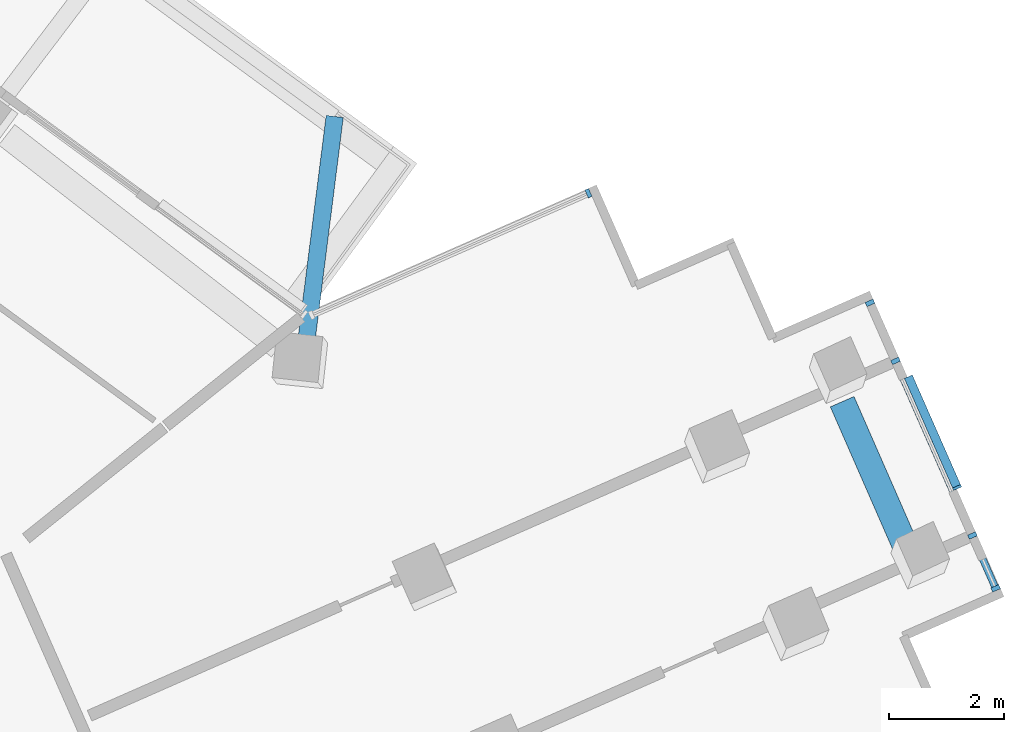
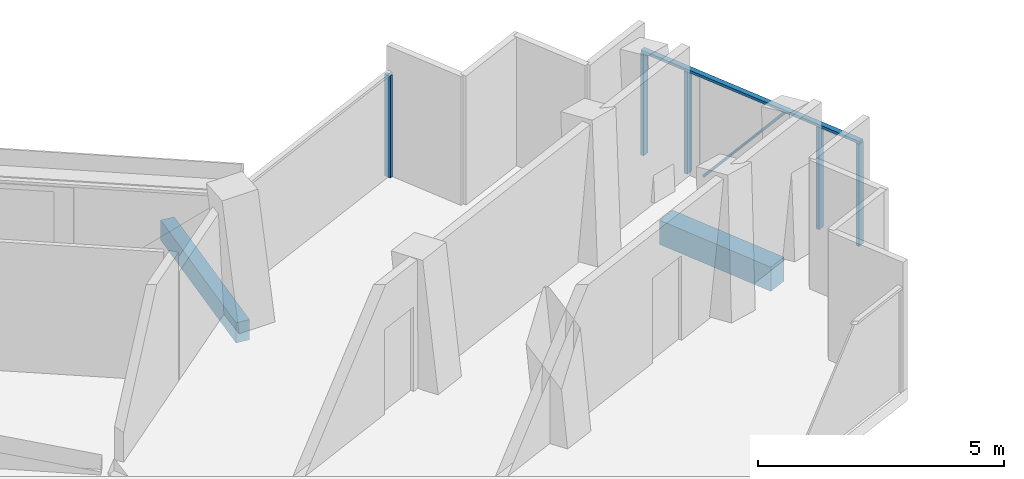
# One storey, part 10 of 22: 7 members, 2 beams, 2 elements without a shape of their own.
"""IFC4 building model written with IfcOpenShell, lengths in metres."""

from ifc_helpers import new_model, si_unit, direction, frame, origin, origin_2d, place, context, subcontext, project, spatial, rectangle, extrude, material, layer, layer_set, material_profile, profile_set, type_object, element, aggregate, save


model = new_model("IFC4")

# Units and contexts
model_context = context("Model", 3, precision=1e-05, world=origin(), true_north=direction((0.0, 1.0)))
body_context = subcontext(model_context, "Body", "Model", "MODEL_VIEW")
ifc_project = project(units=[si_unit("LENGTHUNIT", "METRE"), si_unit("AREAUNIT", "SQUARE_METRE"), si_unit("VOLUMEUNIT", "CUBIC_METRE"), si_unit("PLANEANGLEUNIT", "RADIAN"), si_unit("MASSUNIT", "GRAM", prefix="KILO")], contexts=[model_context])

# Site, building, storey
site_placement = place(None, origin())
site = spatial("IfcSite", under=ifc_project, at=site_placement, CompositionType="ELEMENT")
building_placement = place(site_placement, origin())
building = spatial("IfcBuilding", under=site, at=building_placement, Name="Verdalira Terraces Hotel", CompositionType="ELEMENT")
storey_placement = place(building_placement, frame((0.0, 0.0, 252.5)))
storey = spatial("IfcBuildingStorey", under=building, at=storey_placement, Name="L62", CompositionType="ELEMENT", Elevation=252.5)

# Beam
ifc_material_1 = material(Name="Concrete C40", Category="concrete")
ifc_material_profile_1 = material_profile(ifc_material_1, rectangle(XDim=0.300049, YDim=0.5, at=origin_2d()), Name="RC 300X500")
ifc_profile_set_1 = profile_set([ifc_material_profile_1], Name="Concrete C40")
beam_type_1 = type_object("IfcBeamType", Name="Balcony cantilever beam RC 300X500 C40", PredefinedType="BEAM", material=ifc_profile_set_1)
beam_1_placement = place(storey_placement, frame((19.55249, 15.201904, -0.560059), z_axis=(0.125350703, 0.992112494, 0.0), x_axis=(-0.992112494, 0.125350703, 0.0)))
element("IfcBeam", 1, at=beam_1_placement, inside=storey, type_object=beam_type_1, Name="Balcony cantilever beam R39-1", PredefinedType="BEAM", context=body_context, shape_type="SweptSolid", body=[
    extrude(rectangle(XDim=0.300049, YDim=0.5, at=origin_2d()), origin(), (0.0, 0.0, 1.0), 3.949951),
])

# Curtain wall, member
ifc_material_2 = material(Name="Clear glass", Category="glass")
ifc_layer_1 = layer(ifc_material_2, 0.14990234375)
ifc_layer_set_1 = layer_set([ifc_layer_1], Name="CW2 curtain wall")
curtain_wall_type_1 = type_object("IfcCurtainWallType", Name="CW2 curtain wall", PredefinedType="NOTDEFINED", material=ifc_layer_set_1)
curtain_wall_1_placement = place(storey_placement, origin())
curtain_wall_1 = element("IfcCurtainWall", 2, at=curtain_wall_1_placement, inside=storey, type_object=curtain_wall_type_1, Name="CW2 curtain wall L62 edge 38", PredefinedType="NOTDEFINED")
ifc_material_3 = material(Name="Terracotta frame", Category="masonry")
ifc_material_profile_2 = material_profile(ifc_material_3, rectangle(XDim=0.070068, YDim=0.149902, at=origin_2d()), Name="MU 70x150")
ifc_profile_set_2 = profile_set([ifc_material_profile_2], Name="Terracotta frame")
member_type_1 = type_object("IfcMemberType", Name="CW2 mullion 70x150", PredefinedType="MULLION", material=ifc_profile_set_2)
member_1_placement = place(storey_placement, frame((24.456787, 17.786377, 0.0), z_axis=(0.0, 0.0, 1.0), x_axis=(-0.915241173, -0.402906436, 0.0)))
member_1 = element("IfcMember", 3, at=member_1_placement, type_object=member_type_1, Name="CW2 mullion", PredefinedType="MULLION", context=body_context, shape_type="SweptSolid", body=[
    extrude(rectangle(XDim=0.070068, YDim=0.149902, at=origin_2d()), origin(), (0.0, 0.0, 1.0), 2.524902),
])
aggregate(curtain_wall_1, [member_1])

# Curtain wall, members
ifc_material_4 = material(Name="Clear glass", Category="glass")
ifc_layer_2 = layer(ifc_material_4, 0.14990234375)
ifc_layer_set_2 = layer_set([ifc_layer_2], Name="CW3 curtain wall")
curtain_wall_type_2 = type_object("IfcCurtainWallType", Name="CW3 curtain wall", PredefinedType="NOTDEFINED", material=ifc_layer_set_2)
curtain_wall_2_placement = place(storey_placement, origin())
curtain_wall_2 = element("IfcCurtainWall", 4, at=curtain_wall_2_placement, inside=storey, type_object=curtain_wall_type_2, Name="CW3 curtain wall L62 edge 33", PredefinedType="NOTDEFINED")
ifc_material_5 = material(Name="Terracotta frame", Category="masonry")
ifc_material_profile_3 = material_profile(ifc_material_5, rectangle(XDim=0.080078, YDim=0.149902, at=origin_2d()), Name="MU 80x150")
ifc_profile_set_3 = profile_set([ifc_material_profile_3], Name="Terracotta frame")
member_type_2 = type_object("IfcMemberType", Name="CW3 mullion 80x150", PredefinedType="MULLION", material=ifc_profile_set_3)
member_2_placement = place(storey_placement, frame((31.532959, 10.92041, 0.0), z_axis=(0.0, 0.0, 1.0), x_axis=(-0.402906436, 0.915241173, 0.0)))
member_2 = element("IfcMember", 5, at=member_2_placement, type_object=member_type_2, Name="CW3 mullion", PredefinedType="MULLION", context=body_context, shape_type="SweptSolid", body=[
    extrude(rectangle(XDim=0.080078, YDim=0.149902, at=origin_2d()), origin(), (0.0, 0.0, 1.0), 2.524902),
])
member_3_placement = place(storey_placement, frame((31.128662, 11.838623, 0.0), z_axis=(0.0, 0.0, 1.0), x_axis=(-0.402906436, 0.915241173, 0.0)))
member_3 = element("IfcMember", 6, at=member_3_placement, type_object=member_type_2, Name="CW3 mullion", PredefinedType="MULLION", context=body_context, shape_type="SweptSolid", body=[
    extrude(rectangle(XDim=0.080078, YDim=0.149902, at=origin_2d()), origin(), (0.0, 0.0, 1.0), 2.524902),
])
member_4_placement = place(storey_placement, frame((29.793213, 14.872559, 0.0), z_axis=(0.0, 0.0, 1.0), x_axis=(-0.402906436, 0.915241173, 0.0)))
member_4 = element("IfcMember", 7, at=member_4_placement, type_object=member_type_2, Name="CW3 mullion", PredefinedType="MULLION", context=body_context, shape_type="SweptSolid", body=[
    extrude(rectangle(XDim=0.080078, YDim=0.149902, at=origin_2d()), origin(), (0.0, 0.0, 1.0), 2.524902),
])
member_5_placement = place(storey_placement, frame((29.349121, 15.881104, 0.0), z_axis=(0.0, 0.0, 1.0), x_axis=(-0.402906436, 0.915241173, 0.0)))
member_5 = element("IfcMember", 8, at=member_5_placement, type_object=member_type_2, Name="CW3 mullion", PredefinedType="MULLION", context=body_context, shape_type="SweptSolid", body=[
    extrude(rectangle(XDim=0.080078, YDim=0.149902, at=origin_2d()), origin(), (0.0, 0.0, 1.0), 2.524902),
])
ifc_material_6 = material(Name="Terracotta frame", Category="masonry")
ifc_material_profile_4 = material_profile(ifc_material_6, rectangle(XDim=0.120117, YDim=0.064941, at=origin_2d()), Name="TR 65x120")
ifc_profile_set_4 = profile_set([ifc_material_profile_4], Name="Terracotta frame")
member_type_3 = type_object("IfcMemberType", Name="CW3 transom 65x120", PredefinedType="USERDEFINED", material=ifc_profile_set_4)
member_6_placement = place(storey_placement, frame((31.549072, 10.883789, 2.557617), z_axis=(-0.402911162, 0.915239092, 0.0), x_axis=(-0.915239092, -0.402911162, 0.0)))
member_6 = element("IfcMember", 9, at=member_6_placement, type_object=member_type_3, Name="CW3 transom", ObjectType="TRANSOM", PredefinedType="USERDEFINED", context=body_context, shape_type="SweptSolid", body=[
    extrude(rectangle(XDim=0.120117, YDim=0.064941, at=origin_2d()), origin(), (0.0, 0.0, 1.0), 5.500244),
])
ifc_material_7 = material(Name="Terracotta frame", Category="masonry")
ifc_material_profile_5 = material_profile(ifc_material_7, rectangle(XDim=0.149902, YDim=0.060059, at=origin_2d()), Name="GB 60x150")
ifc_profile_set_5 = profile_set([ifc_material_profile_5], Name="Terracotta frame")
member_type_4 = type_object("IfcMemberType", Name="Diagonal glazing bar 60x150", PredefinedType="USERDEFINED", material=ifc_profile_set_5)
member_7_placement = place(storey_placement, frame((30.863037, 12.673096, 2.496338), z_axis=(-0.259710724, 0.589852756, -0.764607132), x_axis=(-0.915214617, -0.402966754, 0.0)))
member_7 = element("IfcMember", 10, at=member_7_placement, type_object=member_type_4, Name="Diagonal glazing bar", ObjectType="GLAZING BAR", PredefinedType="USERDEFINED", context=body_context, shape_type="SweptSolid", body=[
    extrude(rectangle(XDim=0.149902, YDim=0.060059, at=origin_2d()), origin(), (0.0, 0.0, 1.0), 3.227295),
])
aggregate(curtain_wall_2, [member_2, member_3, member_4, member_5, member_6, member_7])

# Beam
ifc_material_8 = material(Name="Concrete C40", Category="concrete")
ifc_material_profile_6 = material_profile(ifc_material_8, rectangle(XDim=0.449951, YDim=0.600098, at=origin_2d()), Name="RC 450X600")
ifc_profile_set_6 = profile_set([ifc_material_profile_6], Name="Concrete C40")
beam_type_2 = type_object("IfcBeamType", Name="Spandrel beam RC 450X600 C40", PredefinedType="SPANDREL", material=ifc_profile_set_6)
beam_2_placement = place(storey_placement, frame((29.992188, 11.5896, -0.610107), z_axis=(-0.400818834, 0.916157335, 0.0), x_axis=(-0.916157335, -0.400818834, 0.0)))
element("IfcBeam", 11, at=beam_2_placement, inside=storey, type_object=beam_type_2, Name="Spandrel beam B17", PredefinedType="SPANDREL", context=body_context, shape_type="SweptSolid", body=[
    extrude(rectangle(XDim=0.449951, YDim=0.600098, at=origin_2d()), origin(), (0.0, 0.0, 1.0), 2.809814),
])

save(model, "model.ifc")
